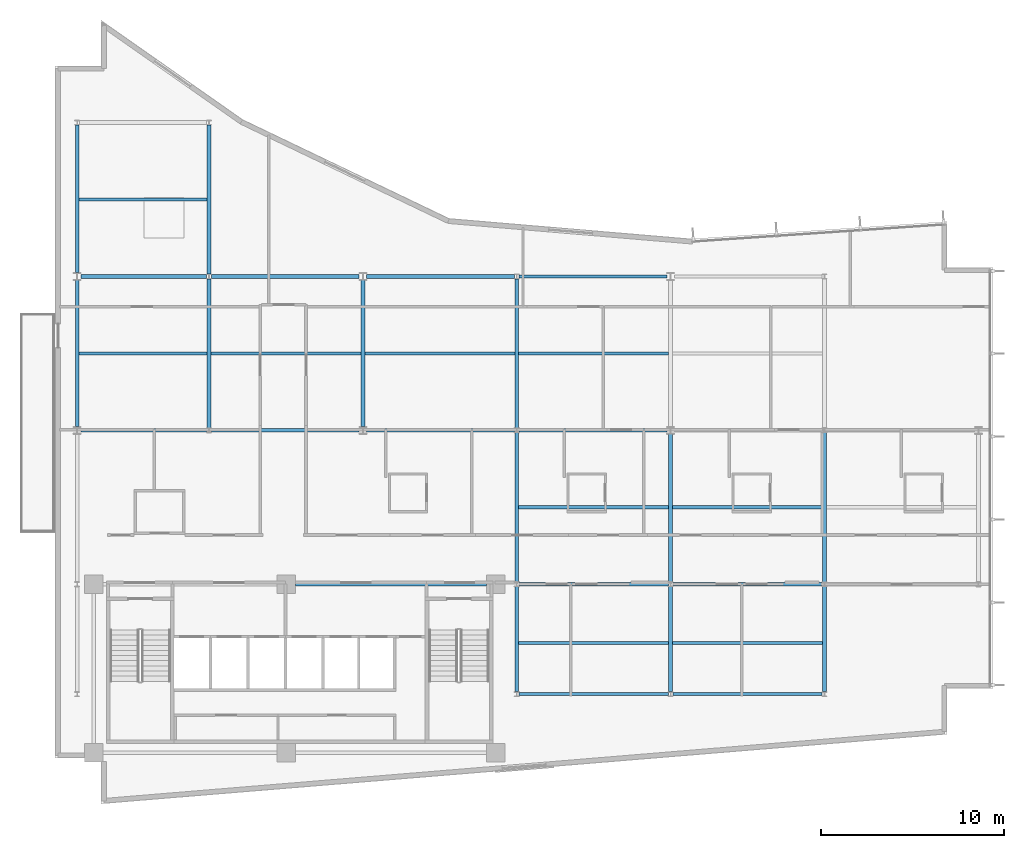
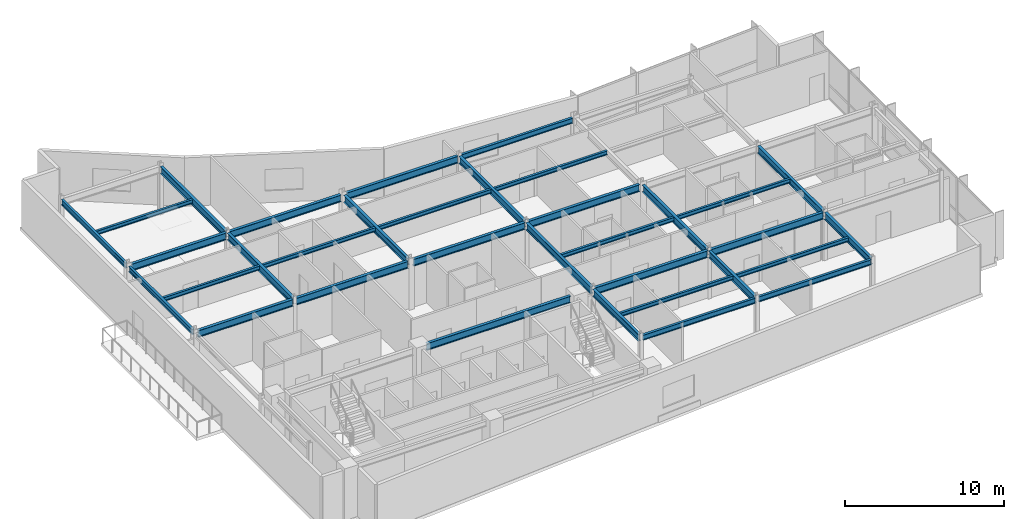
# One storey, part 4 of 16: 34 beams.
"""IFC4 building model written with IfcOpenShell, lengths in metres."""

import ifcopenshell
import ifcopenshell.guid

model = None  # the IFC model being written
_history = None  # IfcOwnerHistory: only IFC2X3 demands one
_inside = {}  # id of a spatial element -> (the spatial element, [elements in it])
_under = {}  # id of a project, library or spatial element -> (it, [spatial elements below it])
_declared = {}  # id of a project -> (the project, [libraries it declares])
_typed = {}  # id of a type object -> (the type object, [elements of that type])
_made_of = {}  # id of a material, layer set ... -> (it, [elements and type objects made of it])


def new_model(schema):
    """Start an empty IFC model of exactly this schema.

    Asked for "IFC4X3", IfcOpenShell would pick the latest addendum, in which some entities
    have other attributes; the version numbers below select the first issue.
    IFC2X3 requires an IfcOwnerHistory on every rooted entity: one is made here for all.
    """
    global model, _history
    if schema == "IFC4X3":
        model = ifcopenshell.file(schema_version=(4, 3, 0, 0))
    else:
        model = ifcopenshell.file(schema=schema)
    _inside.clear()
    _under.clear()
    _declared.clear()
    _typed.clear()
    _made_of.clear()
    _history = None
    if model.schema == "IFC2X3":
        org = make("IfcOrganization", Name="unknown")
        user = make(
            "IfcPersonAndOrganization",
            ThePerson=make("IfcPerson", FamilyName="unknown"),
            TheOrganization=org,
        )
        app = make(
            "IfcApplication",
            ApplicationDeveloper=org,
            Version="unknown",
            ApplicationFullName="unknown",
            ApplicationIdentifier="unknown",
        )
        _history = make(
            "IfcOwnerHistory",
            OwningUser=user,
            OwningApplication=app,
            ChangeAction="ADDED",
            CreationDate=0,
        )
    return model


def make(cls, **values):
    """One entity of the class cls with the attributes given. An attribute that is None is left unset."""
    return model.create_entity(
        cls, **{name: value for name, value in values.items() if value is not None}
    )


def rooted(cls, **values):
    """An entity with a GlobalId (a new one), such as an element, a storey or a relation."""
    return make(cls, GlobalId=ifcopenshell.guid.new(), OwnerHistory=_history, **values)


def si_unit(unit_type, name, prefix=None):
    """IfcSIUnit, for example si_unit("LENGTHUNIT", "METRE", prefix="MILLI")."""
    return make("IfcSIUnit", UnitType=unit_type, Prefix=prefix, Name=name)


def assignment(units):
    """IfcUnitAssignment: the units of a project."""
    return None if units is None else make("IfcUnitAssignment", Units=units)


def point(xyz):
    """IfcCartesianPoint."""
    return None if xyz is None else make("IfcCartesianPoint", Coordinates=xyz)


def direction(xyz):
    """IfcDirection."""
    return None if xyz is None else make("IfcDirection", DirectionRatios=xyz)


def frame(location, z_axis=None, x_axis=None):
    """IfcAxis2Placement3D, a coordinate frame: its origin and axes. An axis left out is left unset."""
    return make(
        "IfcAxis2Placement3D",
        Location=point(location),
        Axis=direction(z_axis),
        RefDirection=direction(x_axis),
    )


def frame_2d(location, x_axis=None):
    """IfcAxis2Placement2D, a coordinate frame in the plane: its origin and x axis."""
    return make(
        "IfcAxis2Placement2D", Location=point(location), RefDirection=direction(x_axis)
    )


def origin():
    """The frame at (0, 0, 0) with its axes left unset."""
    return frame((0.0, 0.0, 0.0))


def origin_2d():
    """The frame at (0, 0) in the plane with its x axis left unset."""
    return frame_2d((0.0, 0.0))


def place(relative_to, where):
    """IfcLocalPlacement: puts the frame where relative to a parent placement (None: the world)."""
    return make(
        "IfcLocalPlacement", PlacementRelTo=relative_to, RelativePlacement=where
    )


def context(
    kind, dimensions, precision=None, world=None, true_north=None, identifier=None
):
    """IfcGeometricRepresentationContext, for example the 3D "Model" context."""
    return make(
        "IfcGeometricRepresentationContext",
        ContextIdentifier=identifier,
        ContextType=kind,
        CoordinateSpaceDimension=dimensions,
        Precision=precision,
        WorldCoordinateSystem=world,
        TrueNorth=true_north,
    )


def subcontext(parent, identifier, kind, view, scale=None):
    """IfcGeometricRepresentationSubContext, for example "Body" below "Model"."""
    return make(
        "IfcGeometricRepresentationSubContext",
        ContextIdentifier=identifier,
        ContextType=kind,
        ParentContext=parent,
        TargetScale=scale,
        TargetView=view,
    )


def project(units=None, contexts=None):
    """IfcProject with its units and contexts."""
    return rooted(
        "IfcProject",
        Name="project",
        RepresentationContexts=contexts,
        UnitsInContext=assignment(units),
    )


def spatial(cls, under=None, at=None, **own):
    """A site, building, storey or space (cls), placed at a placement, below another one or the project."""
    s = rooted(cls, ObjectPlacement=at, **own)
    if under is not None:
        _under.setdefault(under.id(), (under, []))[1].append(s)
    return s


def profile(cls, at=None, kind="AREA", **sizes):
    """A parametric profile (cls). Its sizes go by their IFC names, for example OverallWidth=200.0."""
    return make(cls, ProfileType=kind, Position=at, **sizes)


def i_section(**sizes):
    """IfcIShapeProfileDef."""
    return profile("IfcIShapeProfileDef", **sizes)


def extrude(swept, where, along, depth):
    """IfcExtrudedAreaSolid: the profile swept, set in the frame where, extruded along a direction by depth."""
    return make(
        "IfcExtrudedAreaSolid",
        SweptArea=swept,
        Position=where,
        ExtrudedDirection=direction(along),
        Depth=depth,
    )


def shape(context_of_items, identifier, shape_type, items):
    """IfcShapeRepresentation: the items that make up one representation, for example the "Body"."""
    return make(
        "IfcShapeRepresentation",
        ContextOfItems=context_of_items,
        RepresentationIdentifier=identifier,
        RepresentationType=shape_type,
        Items=items,
    )


def material(Name=None, Category=None):
    """IfcMaterial."""
    return make("IfcMaterial", Name=Name, Category=Category)


def material_profile(
    of_material, cross_section, Name=None, Category=None, Priority=None
):
    """IfcMaterialProfile: a cross section and its material."""
    return make(
        "IfcMaterialProfile",
        Name=Name,
        Material=of_material,
        Profile=cross_section,
        Priority=Priority,
        Category=Category,
    )


def profile_set(profiles, Name=None, composite=None):
    """IfcMaterialProfileSet."""
    return make(
        "IfcMaterialProfileSet",
        Name=Name,
        MaterialProfiles=profiles,
        CompositeProfile=composite,
    )


def made_of(thing, what):
    """Note that an element or type object is made of a material, layer set ...; save() writes the relation."""
    if what is not None:
        _made_of.setdefault(what.id(), (what, []))[1].append(thing)
    return thing


def type_object(cls, material=None, **own):
    """A type object (cls), such as IfcWallType, which elements share."""
    return made_of(rooted(cls, **own), material)


def element(
    cls,
    number,
    at=None,
    inside=None,
    cuts=None,
    type_object=None,
    material=None,
    context=None,
    identifier="Body",
    shape_type=None,
    held_by="IfcProductDefinitionShape",
    body=None,
    shapes=None,
    **own,
):
    """One element of the class cls, such as IfcWall. Its Tag is "e" and its number.

    at: its placement. inside: the storey or other place that contains it. cuts: it is an
    opening in that element (IfcRelVoidsElement). A single representation is given by context,
    identifier, shape_type and body (its items); several are given by shapes. held_by: the class
    of the entity that holds the representations. save() writes the other relations.
    """
    e = rooted(cls, Tag="e%d" % number, ObjectPlacement=at, **own)
    if body is not None:
        shapes = [shape(context, identifier, shape_type, body)]
    if shapes is not None:
        e.Representation = make(held_by, Representations=shapes)
    if inside is not None:
        _inside.setdefault(inside.id(), (inside, []))[1].append(e)
    if cuts is not None:
        rooted(
            "IfcRelVoidsElement", RelatingBuildingElement=cuts, RelatedOpeningElement=e
        )
    if type_object is not None:
        _typed.setdefault(type_object.id(), (type_object, []))[1].append(e)
    return made_of(e, material)


def aggregate(whole, parts):
    """IfcRelAggregates: a whole, such as a stair, and the parts it consists of."""
    return rooted("IfcRelAggregates", RelatingObject=whole, RelatedObjects=parts)


def save(model, path):
    """Write the relations noted so far, then the file.

    IfcRelAggregates (storeys below a building ...), IfcRelContainedInSpatialStructure (elements
    in a storey), IfcRelDefinesByType, IfcRelAssociatesMaterial and IfcRelDeclares: one each for
    every whole, place, type object, material and project.
    """
    for whole, parts in _under.values():
        aggregate(whole, parts)
    for where, things in _inside.values():
        rooted(
            "IfcRelContainedInSpatialStructure",
            RelatedElements=things,
            RelatingStructure=where,
        )
    for kind, things in _typed.values():
        rooted("IfcRelDefinesByType", RelatedObjects=things, RelatingType=kind)
    for what, things in _made_of.values():
        rooted("IfcRelAssociatesMaterial", RelatedObjects=things, RelatingMaterial=what)
    for by, libraries in _declared.values():
        rooted("IfcRelDeclares", RelatingContext=by, RelatedDefinitions=libraries)
    model.write(path)


model = new_model("IFC4")

# Units and contexts
model_context = context("Model", 3, precision=1e-05, world=origin(), true_north=direction((0.0, 1.0)))
body_context = subcontext(model_context, "Body", "Model", "MODEL_VIEW")
ifc_project = project(units=[si_unit("LENGTHUNIT", "METRE"), si_unit("AREAUNIT", "SQUARE_METRE"), si_unit("VOLUMEUNIT", "CUBIC_METRE"), si_unit("PLANEANGLEUNIT", "RADIAN"), si_unit("MASSUNIT", "GRAM", prefix="KILO")], contexts=[model_context])

# Site, building, storey
site_placement = place(None, origin())
site = spatial("IfcSite", under=ifc_project, at=site_placement, CompositionType="ELEMENT")
building_placement = place(site_placement, origin())
building = spatial("IfcBuilding", under=site, at=building_placement, Name="Varnakote Quay Hospital", CompositionType="ELEMENT")
storey_placement = place(building_placement, frame((0.0, 0.0, 188.14990234375)))
storey = spatial("IfcBuildingStorey", under=building, at=storey_placement, Name="L46", CompositionType="ELEMENT", Elevation=188.14990234375)

# Beams
ifc_material_1 = material(Name="Structural steel AS/NZS 3679.1 Grade 350 L0 (fy 340 MPa)", Category="steel")
ifc_material_profile_1 = material_profile(ifc_material_1, i_section(OverallWidth=0.208984375, OverallDepth=0.532958984375, WebThickness=0.01025390625, FlangeThickness=0.015625, FilletRadius=0.013916015625, at=origin_2d()), Name="530UB92.4")
ifc_profile_set_1 = profile_set([ifc_material_profile_1], Name="Structural steel AS/NZS 3679.1 Grade 350 L0 (fy 340 MPa)")
beam_type_1 = type_object("IfcBeamType", Name="BM-STL-530UB92-4", PredefinedType="BEAM", material=ifc_profile_set_1)
beam_1_placement = place(storey_placement, frame((13.1201171875, 12.0, 3.443603515625), z_axis=(1.0, 0.0, 0.0), x_axis=(0.0, 1.0, 0.0)))
element("IfcBeam", 1, at=beam_1_placement, inside=storey, type_object=beam_type_1, Name="L46 Primary Floor Beam", PredefinedType="BEAM", context=body_context, shape_type="SweptSolid", body=[
    extrude(i_section(OverallWidth=0.208984375, OverallDepth=0.532958984375, WebThickness=0.01025390625, FlangeThickness=0.015625, FilletRadius=0.013916015625, at=origin_2d()), origin(), (0.0, 0.0, 1.0), 10.429931640625),
])
for number, where, z_axis, x_axis, name in (
    (2, (25.327880859375, 12.0, 3.443603515625), (1.0, 0.0, 0.0), (0.0, 1.0, 0.0), "L46 Primary Floor Beam"),
    (3, (33.72802734375, 12.0, 3.443603515625), (1.0, 0.0, 0.0), (0.0, 1.0, 0.0), "L46 Primary Floor Beam"),
):
    element("IfcBeam", number, at=place(storey_placement, frame(where, z_axis=z_axis, x_axis=x_axis)), inside=storey, type_object=beam_type_1, Name=name, PredefinedType="BEAM", context=body_context, shape_type="SweptSolid", body=[
        extrude(i_section(OverallWidth=0.208984375, OverallDepth=0.532958984375, WebThickness=0.01025390625, FlangeThickness=0.015625, FilletRadius=0.013916015625, at=origin_2d()), origin(), (0.0, 0.0, 1.0), 8.14404296875),
    ])
beam_2_placement = place(storey_placement, frame((1.39990234375, 20.39990234375, 3.443603515625), z_axis=(1.0, 0.0, 0.0), x_axis=(0.0, 1.0, 0.0)))
element("IfcBeam", 4, at=beam_2_placement, inside=storey, type_object=beam_type_1, Name="L46 Primary Floor Beam", PredefinedType="BEAM", context=body_context, shape_type="SweptSolid", body=[
    extrude(i_section(OverallWidth=0.208984375, OverallDepth=0.532958984375, WebThickness=0.01025390625, FlangeThickness=0.015625, FilletRadius=0.013916015625, at=origin_2d()), origin(), (0.0, 0.0, 1.0), 6.8720703125),
])
for number, where, z_axis, x_axis, name in (
    (5, (8.528076171875, 20.39990234375, 3.443603515625), (1.0, 0.0, 0.0), (0.0, 1.0, 0.0), "L46 Primary Floor Beam"),
    (6, (17.0, 20.39990234375, 3.443603515625), (1.0, 0.0, 0.0), (0.0, 1.0, 0.0), "L46 Primary Floor Beam"),
    (7, (25.327880859375, 20.39990234375, 3.443603515625), (1.0, 0.0, 0.0), (0.0, 1.0, 0.0), "L46 Primary Floor Beam"),
):
    element("IfcBeam", number, at=place(storey_placement, frame(where, z_axis=z_axis, x_axis=x_axis)), inside=storey, type_object=beam_type_1, Name=name, PredefinedType="BEAM", context=body_context, shape_type="SweptSolid", body=[
        extrude(i_section(OverallWidth=0.208984375, OverallDepth=0.532958984375, WebThickness=0.01025390625, FlangeThickness=0.015625, FilletRadius=0.013916015625, at=origin_2d()), origin(), (0.0, 0.0, 1.0), 8.072021484375),
    ])
beam_3_placement = place(storey_placement, frame((1.39990234375, 28.800048828125, 3.443603515625), z_axis=(1.0, 0.0, 0.0), x_axis=(0.0, 1.0, 0.0)))
element("IfcBeam", 8, at=beam_3_placement, inside=storey, type_object=beam_type_1, Name="L46 Primary Floor Beam", PredefinedType="BEAM", context=body_context, shape_type="SweptSolid", body=[
    extrude(i_section(OverallWidth=0.208984375, OverallDepth=0.532958984375, WebThickness=0.01025390625, FlangeThickness=0.015625, FilletRadius=0.013916015625, at=origin_2d()), origin(), (0.0, 0.0, 1.0), 6.8720703125),
])
for number, where, z_axis, x_axis, name in (
    (9, (8.528076171875, 28.800048828125, 3.443603515625), (1.0, 0.0, 0.0), (0.0, 1.0, 0.0), "L46 Primary Floor Beam"),
    (10, (17.0, 28.800048828125, 3.443603515625), (1.0, 0.0, 0.0), (0.0, 1.0, 0.0), "L46 Primary Floor Beam"),
):
    element("IfcBeam", number, at=place(storey_placement, frame(where, z_axis=z_axis, x_axis=x_axis)), inside=storey, type_object=beam_type_1, Name=name, PredefinedType="BEAM", context=body_context, shape_type="SweptSolid", body=[
        extrude(i_section(OverallWidth=0.208984375, OverallDepth=0.532958984375, WebThickness=0.01025390625, FlangeThickness=0.015625, FilletRadius=0.013916015625, at=origin_2d()), origin(), (0.0, 0.0, 1.0), 8.072021484375),
    ])
beam_4_placement = place(storey_placement, frame((8.39990234375, 20.530029296875, 3.443603515625), z_axis=(0.0, 1.0, 0.0), x_axis=(-1.0, 0.0, 0.0)))
element("IfcBeam", 11, at=beam_4_placement, inside=storey, type_object=beam_type_1, Name="L46 Primary Tie Beam", PredefinedType="BEAM", context=body_context, shape_type="SweptSolid", body=[
    extrude(i_section(OverallWidth=0.208984375, OverallDepth=0.532958984375, WebThickness=0.01025390625, FlangeThickness=0.015625, FilletRadius=0.013916015625, at=origin_2d()), origin(), (0.0, 0.0, 1.0), 8.139892578125),
])
beam_5_placement = place(storey_placement, frame((8.39990234375, 28.929931640625, 3.443603515625), z_axis=(0.0, 1.0, 0.0), x_axis=(-1.0, 0.0, 0.0)))
element("IfcBeam", 12, at=beam_5_placement, inside=storey, type_object=beam_type_1, Name="L46 Primary Tie Beam", PredefinedType="BEAM", context=body_context, shape_type="SweptSolid", body=[
    extrude(i_section(OverallWidth=0.208984375, OverallDepth=0.532958984375, WebThickness=0.01025390625, FlangeThickness=0.015625, FilletRadius=0.013916015625, at=origin_2d()), origin(), (0.0, 0.0, 1.0), 8.14013671875),
])
beam_6_placement = place(storey_placement, frame((16.800048828125, 20.60205078125, 3.443603515625), z_axis=(0.0, 1.0, 0.0), x_axis=(-1.0, 0.0, 0.0)))
element("IfcBeam", 13, at=beam_6_placement, inside=storey, type_object=beam_type_1, Name="L46 Primary Tie Beam", PredefinedType="BEAM", context=body_context, shape_type="SweptSolid", body=[
    extrude(i_section(OverallWidth=0.208984375, OverallDepth=0.532958984375, WebThickness=0.01025390625, FlangeThickness=0.015625, FilletRadius=0.013916015625, at=origin_2d()), origin(), (0.0, 0.0, 1.0), 7.995849609375),
])
beam_7_placement = place(storey_placement, frame((25.199951171875, 6.1298828125, 3.443603515625), z_axis=(0.0, 1.0, 0.0), x_axis=(-1.0, 0.0, 0.0)))
element("IfcBeam", 14, at=beam_7_placement, inside=storey, type_object=beam_type_1, Name="L46 Primary Tie Beam", PredefinedType="BEAM", context=body_context, shape_type="SweptSolid", body=[
    extrude(i_section(OverallWidth=0.208984375, OverallDepth=0.532958984375, WebThickness=0.01025390625, FlangeThickness=0.015625, FilletRadius=0.013916015625, at=origin_2d()), origin(), (0.0, 0.0, 1.0), 5.740234375),
])
beam_8_placement = place(storey_placement, frame((25.199951171875, 12.1298828125, 3.443603515625), z_axis=(0.0, 1.0, 0.0), x_axis=(-1.0, 0.0, 0.0)))
element("IfcBeam", 15, at=beam_8_placement, inside=storey, type_object=beam_type_1, Name="L46 Primary Tie Beam", PredefinedType="BEAM", context=body_context, shape_type="SweptSolid", body=[
    extrude(i_section(OverallWidth=0.208984375, OverallDepth=0.532958984375, WebThickness=0.01025390625, FlangeThickness=0.015625, FilletRadius=0.013916015625, at=origin_2d()), origin(), (0.0, 0.0, 1.0), 8.14013671875),
])
beam_9_placement = place(storey_placement, frame((25.199951171875, 20.530029296875, 3.443603515625), z_axis=(0.0, 1.0, 0.0), x_axis=(-1.0, 0.0, 0.0)))
element("IfcBeam", 16, at=beam_9_placement, inside=storey, type_object=beam_type_1, Name="L46 Primary Tie Beam", PredefinedType="BEAM", context=body_context, shape_type="SweptSolid", body=[
    extrude(i_section(OverallWidth=0.208984375, OverallDepth=0.532958984375, WebThickness=0.01025390625, FlangeThickness=0.015625, FilletRadius=0.013916015625, at=origin_2d()), origin(), (0.0, 0.0, 1.0), 8.139892578125),
])
beam_10_placement = place(storey_placement, frame((33.60009765625, 6.1298828125, 3.443603515625), z_axis=(0.0, 1.0, 0.0), x_axis=(-1.0, 0.0, 0.0)))
element("IfcBeam", 17, at=beam_10_placement, inside=storey, type_object=beam_type_1, Name="L46 Primary Tie Beam", PredefinedType="BEAM", context=body_context, shape_type="SweptSolid", body=[
    extrude(i_section(OverallWidth=0.208984375, OverallDepth=0.532958984375, WebThickness=0.01025390625, FlangeThickness=0.015625, FilletRadius=0.013916015625, at=origin_2d()), origin(), (0.0, 0.0, 1.0), 5.740234375),
])
beam_11_placement = place(storey_placement, frame((33.60009765625, 12.1298828125, 3.443603515625), z_axis=(0.0, 1.0, 0.0), x_axis=(-1.0, 0.0, 0.0)))
element("IfcBeam", 18, at=beam_11_placement, inside=storey, type_object=beam_type_1, Name="L46 Primary Tie Beam", PredefinedType="BEAM", context=body_context, shape_type="SweptSolid", body=[
    extrude(i_section(OverallWidth=0.208984375, OverallDepth=0.532958984375, WebThickness=0.01025390625, FlangeThickness=0.015625, FilletRadius=0.013916015625, at=origin_2d()), origin(), (0.0, 0.0, 1.0), 8.068115234375),
])
beam_12_placement = place(storey_placement, frame((42.0, 6.1298828125, 3.443603515625), z_axis=(0.0, 1.0, 0.0), x_axis=(-1.0, 0.0, 0.0)))
element("IfcBeam", 19, at=beam_12_placement, inside=storey, type_object=beam_type_1, Name="L46 Primary Tie Beam", PredefinedType="BEAM", context=body_context, shape_type="SweptSolid", body=[
    extrude(i_section(OverallWidth=0.208984375, OverallDepth=0.532958984375, WebThickness=0.01025390625, FlangeThickness=0.015625, FilletRadius=0.013916015625, at=origin_2d()), origin(), (0.0, 0.0, 1.0), 5.740234375),
])
beam_13_placement = place(storey_placement, frame((42.0, 12.1298828125, 3.443603515625), z_axis=(0.0, 1.0, 0.0), x_axis=(-1.0, 0.0, 0.0)))
element("IfcBeam", 20, at=beam_13_placement, inside=storey, type_object=beam_type_1, Name="L46 Primary Tie Beam", PredefinedType="BEAM", context=body_context, shape_type="SweptSolid", body=[
    extrude(i_section(OverallWidth=0.208984375, OverallDepth=0.532958984375, WebThickness=0.01025390625, FlangeThickness=0.015625, FilletRadius=0.013916015625, at=origin_2d()), origin(), (0.0, 0.0, 1.0), 8.14013671875),
])
ifc_material_2 = material(Name="Structural steel AS/NZS 3679.1 Grade 350 L0 (fy 340 MPa)", Category="steel")
ifc_material_profile_2 = material_profile(ifc_material_2, i_section(OverallWidth=0.166015625, OverallDepth=0.306884765625, WebThickness=0.006591796875, FlangeThickness=0.01171875, FilletRadius=0.011474609375, at=origin_2d()), Name="310UB46.2")
ifc_profile_set_2 = profile_set([ifc_material_profile_2], Name="Structural steel AS/NZS 3679.1 Grade 350 L0 (fy 340 MPa)")
beam_type_2 = type_object("IfcBeamType", Name="JST-STL-310UB46-2", PredefinedType="JOIST", material=ifc_profile_set_2)
beam_14_placement = place(storey_placement, frame((25.304443359375, 8.800048828125, 3.556640625), z_axis=(1.0, 0.0, 0.0), x_axis=(0.0, 1.0, 0.0)))
element("IfcBeam", 21, at=beam_14_placement, inside=storey, type_object=beam_type_2, Name="L46 Composite Floor Joist", PredefinedType="JOIST", context=body_context, shape_type="SweptSolid", body=[
    extrude(i_section(OverallWidth=0.166015625, OverallDepth=0.306884765625, WebThickness=0.006591796875, FlangeThickness=0.01171875, FilletRadius=0.011474609375, at=origin_2d()), origin(), (0.0, 0.0, 1.0), 8.191162109375),
])
beam_15_placement = place(storey_placement, frame((33.70458984375, 8.800048828125, 3.556640625), z_axis=(1.0, 0.0, 0.0), x_axis=(0.0, 1.0, 0.0)))
element("IfcBeam", 22, at=beam_15_placement, inside=storey, type_object=beam_type_2, Name="L46 Composite Floor Joist", PredefinedType="JOIST", context=body_context, shape_type="SweptSolid", body=[
    extrude(i_section(OverallWidth=0.166015625, OverallDepth=0.306884765625, WebThickness=0.006591796875, FlangeThickness=0.01171875, FilletRadius=0.011474609375, at=origin_2d()), origin(), (0.0, 0.0, 1.0), 8.19091796875),
])
beam_16_placement = place(storey_placement, frame((25.304443359375, 16.199951171875, 3.556640625), z_axis=(1.0, 0.0, 0.0), x_axis=(0.0, 1.0, 0.0)))
element("IfcBeam", 23, at=beam_16_placement, inside=storey, type_object=beam_type_2, Name="L46 Composite Floor Joist", PredefinedType="JOIST", context=body_context, shape_type="SweptSolid", body=[
    extrude(i_section(OverallWidth=0.166015625, OverallDepth=0.306884765625, WebThickness=0.006591796875, FlangeThickness=0.01171875, FilletRadius=0.011474609375, at=origin_2d()), origin(), (0.0, 0.0, 1.0), 8.191162109375),
])
beam_17_placement = place(storey_placement, frame((33.70458984375, 16.199951171875, 3.556640625), z_axis=(1.0, 0.0, 0.0), x_axis=(0.0, 1.0, 0.0)))
element("IfcBeam", 24, at=beam_17_placement, inside=storey, type_object=beam_type_2, Name="L46 Composite Floor Joist", PredefinedType="JOIST", context=body_context, shape_type="SweptSolid", body=[
    extrude(i_section(OverallWidth=0.166015625, OverallDepth=0.306884765625, WebThickness=0.006591796875, FlangeThickness=0.01171875, FilletRadius=0.011474609375, at=origin_2d()), origin(), (0.0, 0.0, 1.0), 8.19091796875),
])
beam_18_placement = place(storey_placement, frame((1.2890625, 24.60009765625, 3.556640625), z_axis=(1.0, 0.0, 0.0), x_axis=(0.0, 1.0, 0.0)))
element("IfcBeam", 25, at=beam_18_placement, inside=storey, type_object=beam_type_2, Name="L46 Composite Floor Joist", PredefinedType="JOIST", context=body_context, shape_type="SweptSolid", body=[
    extrude(i_section(OverallWidth=0.166015625, OverallDepth=0.306884765625, WebThickness=0.006591796875, FlangeThickness=0.01171875, FilletRadius=0.011474609375, at=origin_2d()), origin(), (0.0, 0.0, 1.0), 7.00634765625),
])
beam_19_placement = place(storey_placement, frame((8.50439453125, 24.60009765625, 3.556640625), z_axis=(1.0, 0.0, 0.0), x_axis=(0.0, 1.0, 0.0)))
element("IfcBeam", 26, at=beam_19_placement, inside=storey, type_object=beam_type_2, Name="L46 Composite Floor Joist", PredefinedType="JOIST", context=body_context, shape_type="SweptSolid", body=[
    extrude(i_section(OverallWidth=0.166015625, OverallDepth=0.306884765625, WebThickness=0.006591796875, FlangeThickness=0.01171875, FilletRadius=0.011474609375, at=origin_2d()), origin(), (0.0, 0.0, 1.0), 8.191162109375),
])
beam_20_placement = place(storey_placement, frame((16.904541015625, 24.60009765625, 3.556640625), z_axis=(1.0, 0.0, 0.0), x_axis=(0.0, 1.0, 0.0)))
element("IfcBeam", 27, at=beam_20_placement, inside=storey, type_object=beam_type_2, Name="L46 Composite Floor Joist", PredefinedType="JOIST", context=body_context, shape_type="SweptSolid", body=[
    extrude(i_section(OverallWidth=0.166015625, OverallDepth=0.306884765625, WebThickness=0.006591796875, FlangeThickness=0.01171875, FilletRadius=0.011474609375, at=origin_2d()), origin(), (0.0, 0.0, 1.0), 8.19091796875),
])
beam_21_placement = place(storey_placement, frame((25.304443359375, 24.60009765625, 3.556640625), z_axis=(1.0, 0.0, 0.0), x_axis=(0.0, 1.0, 0.0)))
element("IfcBeam", 28, at=beam_21_placement, inside=storey, type_object=beam_type_2, Name="L46 Composite Floor Joist", PredefinedType="JOIST", context=body_context, shape_type="SweptSolid", body=[
    extrude(i_section(OverallWidth=0.166015625, OverallDepth=0.306884765625, WebThickness=0.006591796875, FlangeThickness=0.01171875, FilletRadius=0.011474609375, at=origin_2d()), origin(), (0.0, 0.0, 1.0), 8.191162109375),
])
beam_22_placement = place(storey_placement, frame((1.2890625, 33.0, 3.556640625), z_axis=(1.0, 0.0, 0.0), x_axis=(0.0, 1.0, 0.0)))
element("IfcBeam", 29, at=beam_22_placement, inside=storey, type_object=beam_type_2, Name="L46 Composite Floor Joist", PredefinedType="JOIST", context=body_context, shape_type="SweptSolid", body=[
    extrude(i_section(OverallWidth=0.166015625, OverallDepth=0.306884765625, WebThickness=0.006591796875, FlangeThickness=0.01171875, FilletRadius=0.011474609375, at=origin_2d()), origin(), (0.0, 0.0, 1.0), 7.00634765625),
])
ifc_material_3 = material(Name="Structural steel AS/NZS 3679.1 Grade 350 L0 (fy 340 MPa)", Category="steel")
ifc_material_profile_3 = material_profile(ifc_material_3, i_section(OverallWidth=0.177978515625, OverallDepth=0.403076171875, WebThickness=0.007568359375, FlangeThickness=0.010986328125, FilletRadius=0.011474609375, at=origin_2d()), Name="410UB53.7")
ifc_profile_set_3 = profile_set([ifc_material_profile_3], Name="Structural steel AS/NZS 3679.1 Grade 350 L0 (fy 340 MPa)")
beam_type_3 = type_object("IfcBeamType", Name="SPN-STL-410UB53-7", PredefinedType="SPANDREL", material=ifc_profile_set_3)
beam_23_placement = place(storey_placement, frame((1.199951171875, 20.60205078125, 3.508544921875), z_axis=(0.0, 1.0, 0.0), x_axis=(-1.0, 0.0, 0.0)))
element("IfcBeam", 30, at=beam_23_placement, inside=storey, type_object=beam_type_3, Name="L46 Perimeter Spandrel Beam", PredefinedType="SPANDREL", context=body_context, shape_type="SweptSolid", body=[
    extrude(i_section(OverallWidth=0.177978515625, OverallDepth=0.403076171875, WebThickness=0.007568359375, FlangeThickness=0.010986328125, FilletRadius=0.011474609375, at=origin_2d()), origin(), (0.0, 0.0, 1.0), 7.995849609375),
])
beam_24_placement = place(storey_placement, frame((1.199951171875, 29.001953125, 3.508544921875), z_axis=(0.0, 1.0, 0.0), x_axis=(-1.0, 0.0, 0.0)))
element("IfcBeam", 31, at=beam_24_placement, inside=storey, type_object=beam_type_3, Name="L46 Perimeter Spandrel Beam", PredefinedType="SPANDREL", context=body_context, shape_type="SweptSolid", body=[
    extrude(i_section(OverallWidth=0.177978515625, OverallDepth=0.403076171875, WebThickness=0.007568359375, FlangeThickness=0.010986328125, FilletRadius=0.011474609375, at=origin_2d()), origin(), (0.0, 0.0, 1.0), 8.068115234375),
])
ifc_material_4 = material(Name="Structural steel AS/NZS 3679.1 Grade 350 L0 (fy 340 MPa)", Category="steel")
ifc_material_profile_4 = material_profile(ifc_material_4, i_section(OverallWidth=0.177978515625, OverallDepth=0.406005859375, WebThickness=0.0078125, FlangeThickness=0.0126953125, FilletRadius=0.011474609375, at=origin_2d()), Name="410UB59.7")
ifc_profile_set_4 = profile_set([ifc_material_profile_4], Name="Structural steel AS/NZS 3679.1 Grade 350 L0 (fy 340 MPa)")
beam_type_4 = type_object("IfcBeamType", Name="SPN-STL-410UB59-7", PredefinedType="SPANDREL", material=ifc_profile_set_4)
for number, where, z_axis, x_axis, name in (
    (32, (25.327880859375, 6.0, 3.507080078125), (1.0, 0.0, 0.0), (0.0, 1.0, 0.0), "L46 Perimeter Spandrel Beam"),
    (33, (33.72802734375, 6.0, 3.507080078125), (1.0, 0.0, 0.0), (0.0, 1.0, 0.0), "L46 Perimeter Spandrel Beam"),
):
    element("IfcBeam", number, at=place(storey_placement, frame(where, z_axis=z_axis, x_axis=x_axis)), inside=storey, type_object=beam_type_4, Name=name, PredefinedType="SPANDREL", context=body_context, shape_type="SweptSolid", body=[
        extrude(i_section(OverallWidth=0.177978515625, OverallDepth=0.406005859375, WebThickness=0.0078125, FlangeThickness=0.0126953125, FilletRadius=0.011474609375, at=origin_2d()), origin(), (0.0, 0.0, 1.0), 8.14404296875),
    ])
beam_25_placement = place(storey_placement, frame((25.327880859375, 28.800048828125, 3.507080078125), z_axis=(1.0, 0.0, 0.0), x_axis=(0.0, 1.0, 0.0)))
element("IfcBeam", 34, at=beam_25_placement, inside=storey, type_object=beam_type_4, Name="L46 Perimeter Spandrel Beam", PredefinedType="SPANDREL", context=body_context, shape_type="SweptSolid", body=[
    extrude(i_section(OverallWidth=0.177978515625, OverallDepth=0.406005859375, WebThickness=0.0078125, FlangeThickness=0.0126953125, FilletRadius=0.011474609375, at=origin_2d()), origin(), (0.0, 0.0, 1.0), 8.072021484375),
])

save(model, "model.ifc")
